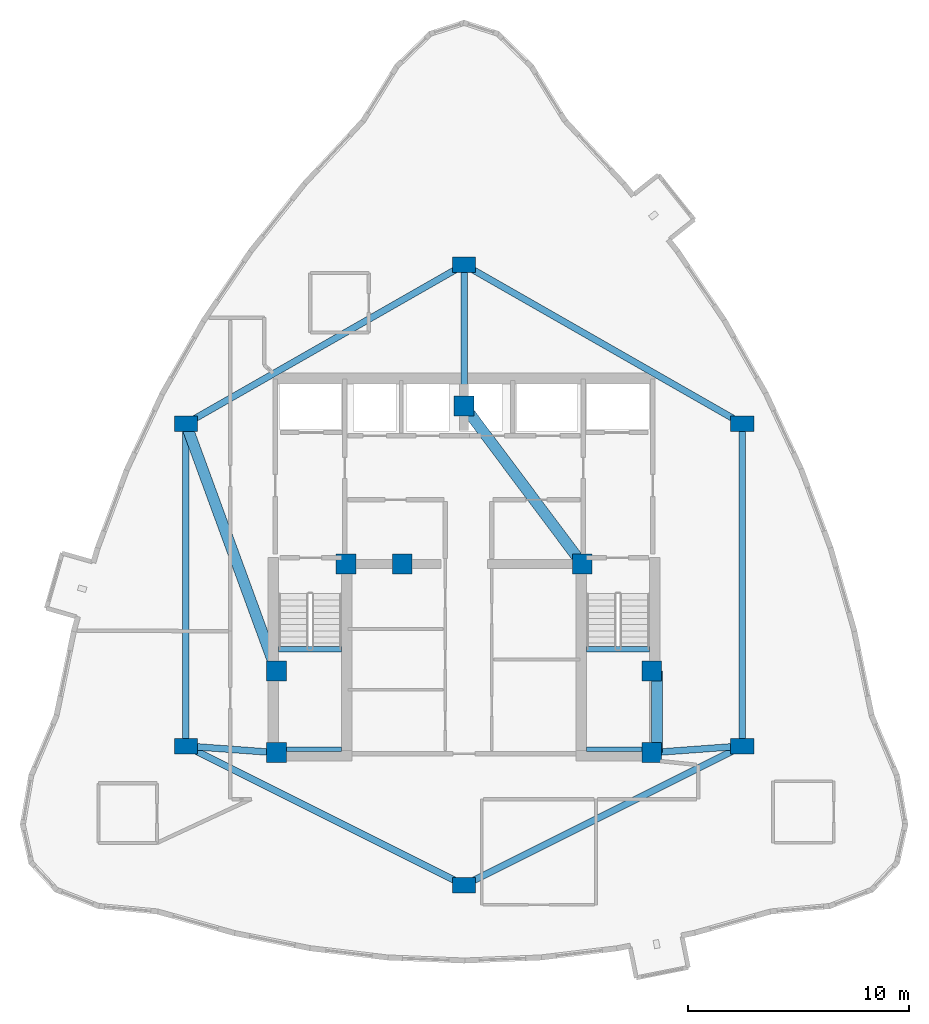
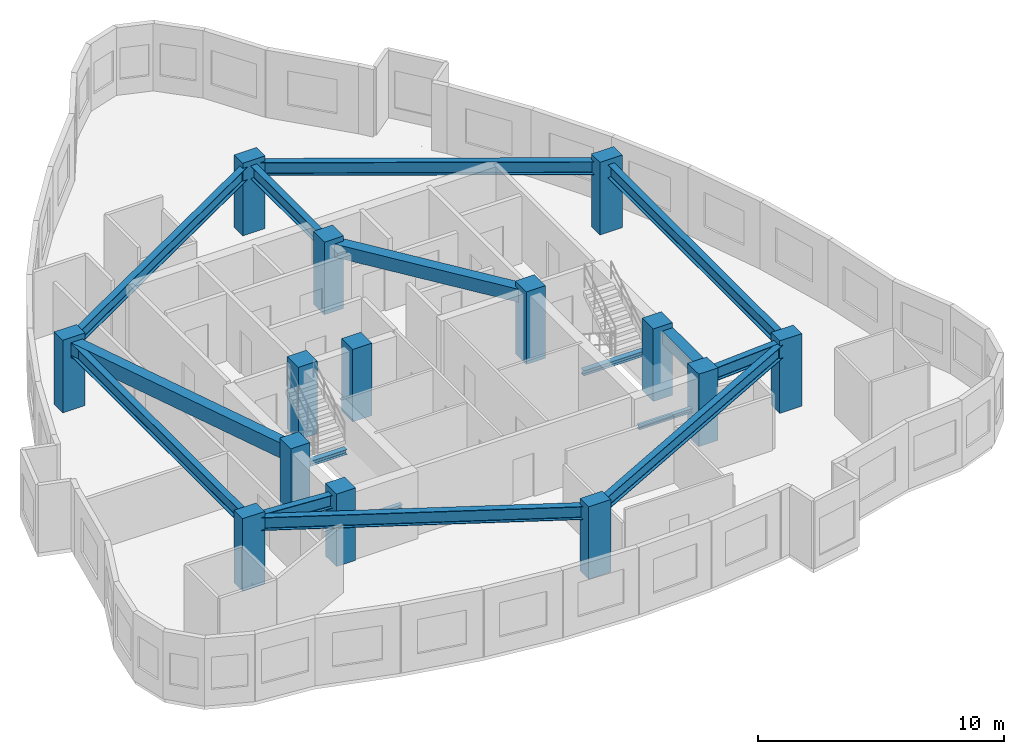
# One storey, part 1 of 9: 16 beams, 14 columns.
"""IFC4 building model written with IfcOpenShell, lengths in metres."""

from ifc_helpers import new_model, si_unit, direction, frame, origin, origin_2d, place, context, subcontext, project, spatial, rectangle, i_section, extrude, material, material_profile, profile_set, type_object, element, save


model = new_model("IFC4")

# Units and contexts
model_context = context("Model", 3, precision=1e-05, world=origin(), true_north=direction((0.0, 1.0)))
body_context = subcontext(model_context, "Body", "Model", "MODEL_VIEW")
ifc_project = project(units=[si_unit("LENGTHUNIT", "METRE"), si_unit("AREAUNIT", "SQUARE_METRE"), si_unit("VOLUMEUNIT", "CUBIC_METRE"), si_unit("PLANEANGLEUNIT", "RADIAN"), si_unit("MASSUNIT", "GRAM", prefix="KILO")], contexts=[model_context])

# Site, building, storey
site_placement = place(None, origin())
site = spatial("IfcSite", under=ifc_project, at=site_placement, CompositionType="ELEMENT")
building_placement = place(site_placement, origin())
building = spatial("IfcBuilding", under=site, at=building_placement, Name="Miruveldt Soraemaru", CompositionType="ELEMENT")
storey_placement = place(building_placement, frame((0.0, 0.0, 223.199951171875)))
storey = spatial("IfcBuildingStorey", under=building, at=storey_placement, Name="L61", CompositionType="ELEMENT", Elevation=223.199951171875)

# Columns
ifc_material_1 = material(Name="Concrete C50/60 (50 MPa)", Category="concrete")
ifc_material_profile_1 = material_profile(ifc_material_1, rectangle(XDim=0.89990234375, YDim=0.89990234375, at=origin_2d()), Name="Concrete C50/60 (50 MPa)", Category="concrete")
ifc_profile_set_1 = profile_set([ifc_material_profile_1], Name="Concrete C50/60 (50 MPa)")
column_type_1 = type_object("IfcColumnType", Name="COL-CORE-900", PredefinedType="COLUMN", material=ifc_profile_set_1)
for number, where, z_axis, x_axis, name in (
    (1, (35.5, 35.5, 0.0), (0.0, 0.0, 1.0), (1.0, 0.0, 0.0), "L61 Structural Column CC1"),
    (2, (38.64990234375, 44.050048828125, 0.0), (0.0, 0.0, 1.0), (1.0, 0.0, 0.0), "L61 Structural Column CC2"),
    (3, (52.5, 35.5, 0.0), (0.0, 0.0, 1.0), (1.0, 0.0, 0.0), "L61 Structural Column CC3"),
    (4, (52.5, 39.199951171875, 0.0), (0.0, 0.0, 1.0), (1.0, 0.0, 0.0), "L61 Structural Column CC4"),
    (5, (49.35009765625, 44.050048828125, 0.0), (0.0, 0.0, 1.0), (1.0, 0.0, 0.0), "L61 Structural Column CC5"),
    (6, (44.0, 51.199951171875, 0.0), (0.0, 0.0, 1.0), (1.0, 0.0, 0.0), "L61 Structural Column CC6"),
    (7, (35.5, 39.199951171875, 0.0), (0.0, 0.0, 1.0), (1.0, 0.0, 0.0), "L61 Structural Column CC7"),
    (8, (41.199951171875, 44.050048828125, 0.0), (0.0, 0.0, 1.0), (1.0, 0.0, 0.0), "L61 Structural Column CC8"),
):
    element("IfcColumn", number, at=place(storey_placement, frame(where, z_axis=z_axis, x_axis=x_axis)), inside=storey, type_object=column_type_1, Name=name, PredefinedType="COLUMN", context=body_context, shape_type="SweptSolid", body=[
        extrude(rectangle(XDim=0.89990234375, YDim=0.89990234375, at=origin_2d()), origin(), (0.0, 0.0, 1.0), 3.60009765625),
    ])
ifc_material_2 = material(Name="Concrete C60/75 (60 MPa)", Category="concrete")
ifc_material_profile_2 = material_profile(ifc_material_2, rectangle(XDim=1.050048828125, YDim=0.699951171875, at=origin_2d()), Name="Concrete C60/75 (60 MPa)", Category="concrete")
ifc_profile_set_2 = profile_set([ifc_material_profile_2], Name="Concrete C60/75 (60 MPa)")
column_type_2 = type_object("IfcColumnType", Name="COL-TW-Z3", PredefinedType="COLUMN", material=ifc_profile_set_2)
for number, where, z_axis, x_axis, name in (
    (9, (44.0, 57.60009765625, 0.0), (0.0, 0.0, 1.0), (1.0, 0.0, 0.0), "L61 Structural Column IR01"),
    (10, (56.60009765625, 50.39990234375, 0.0), (0.0, 0.0, 1.0), (1.0, 0.0, 0.0), "L61 Structural Column IR02"),
    (11, (56.60009765625, 35.800048828125, 0.0), (0.0, 0.0, 1.0), (1.0, 0.0, 0.0), "L61 Structural Column IR03"),
    (12, (44.0, 29.5, 0.0), (0.0, 0.0, 1.0), (1.0, 0.0, 0.0), "L61 Structural Column IR04"),
    (13, (31.39990234375, 35.800048828125, 0.0), (0.0, 0.0, 1.0), (1.0, 0.0, 0.0), "L61 Structural Column IR05"),
    (14, (31.39990234375, 50.39990234375, 0.0), (0.0, 0.0, 1.0), (1.0, 0.0, 0.0), "L61 Structural Column IR06"),
):
    element("IfcColumn", number, at=place(storey_placement, frame(where, z_axis=z_axis, x_axis=x_axis)), inside=storey, type_object=column_type_2, Name=name, PredefinedType="COLUMN", context=body_context, shape_type="SweptSolid", body=[
        extrude(rectangle(XDim=1.050048828125, YDim=0.699951171875, at=origin_2d()), origin(), (0.0, 0.0, 1.0), 3.60009765625),
    ])

# Beams
ifc_material_profile_3 = material_profile(ifc_material_1, rectangle(XDim=0.5, YDim=0.64990234375, at=origin_2d()), Name="Concrete C50/60 (50 MPa)", Category="concrete")
ifc_profile_set_3 = profile_set([ifc_material_profile_3], Name="Concrete C50/60 (50 MPa)")
beam_type_1 = type_object("IfcBeamType", Name="BM-RC-500x650", PredefinedType="BEAM", material=ifc_profile_set_3)
beam_1_placement = place(storey_placement, frame((52.72998046875, 35.5, 3.02001953125), z_axis=(0.0, 1.0, 0.0), x_axis=(-1.0, 0.0, 0.0)))
element("IfcBeam", 15, at=beam_1_placement, inside=storey, type_object=beam_type_1, Name="L61 Core Tie Beam 3", PredefinedType="BEAM", context=body_context, shape_type="SweptSolid", body=[
    extrude(rectangle(XDim=0.5, YDim=0.64990234375, at=origin_2d()), origin(), (0.0, 0.0, 1.0), 3.699951171875),
])
beam_2_placement = place(storey_placement, frame((49.35009765625, 44.050048828125, 3.02001953125), z_axis=(-0.599116023999, 0.800662219533, 0.0), x_axis=(-0.800662219533, -0.599116023999, 0.0)))
element("IfcBeam", 16, at=beam_2_placement, inside=storey, type_object=beam_type_1, Name="L61 Core Tie Beam 5", PredefinedType="BEAM", context=body_context, shape_type="SweptSolid", body=[
    extrude(rectangle(XDim=0.5, YDim=0.64990234375, at=origin_2d()), origin(), (0.0, 0.0, 1.0), 8.929931640625),
])
ifc_material_3 = material(Name="Concrete C40/50 (40 MPa)", Category="concrete")
ifc_material_profile_4 = material_profile(ifc_material_3, rectangle(XDim=0.5, YDim=0.75, at=origin_2d()), Name="Concrete C40/50 (40 MPa)", Category="concrete")
ifc_profile_set_4 = profile_set([ifc_material_profile_4], Name="Concrete C40/50 (40 MPa)")
beam_type_2 = type_object("IfcBeamType", Name="BM-RC-500x750", PredefinedType="LINTEL", material=ifc_profile_set_4)
beam_3_placement = place(storey_placement, frame((31.39990234375, 50.39990234375, 2.969970703125), z_axis=(0.343770424598, -0.939053723262, 0.0), x_axis=(0.939053723262, 0.343770424598, 0.0)))
element("IfcBeam", 17, at=beam_3_placement, inside=storey, type_object=beam_type_2, Name="L61 West Lobby Lintel", PredefinedType="LINTEL", context=body_context, shape_type="SweptSolid", body=[
    extrude(rectangle(XDim=0.5, YDim=0.75, at=origin_2d()), origin(), (0.0, 0.0, 1.0), 11.9267578125),
])
ifc_material_4 = material(Name="Steel SM355 (355 MPa)", Category="steel")
ifc_material_profile_5 = material_profile(ifc_material_4, i_section(OverallWidth=0.300048828125, OverallDepth=0.64990234375, WebThickness=0.012939453125, FlangeThickness=0.02197265625, FilletRadius=0.02587890625, at=origin_2d()), Name="Steel SM355 (355 MPa)", Category="steel")
ifc_profile_set_5 = profile_set([ifc_material_profile_5], Name="Steel SM355 (355 MPa)")
beam_type_3 = type_object("IfcBeamType", Name="BM-ST-H650", PredefinedType="BEAM", material=ifc_profile_set_5)
beam_4_placement = place(storey_placement, frame((44.0, 57.60009765625, 3.02001953125), z_axis=(0.868239001029, -0.496146185203, 0.0), x_axis=(0.496146185203, 0.868239001029, 0.0)))
element("IfcBeam", 18, at=beam_4_placement, inside=storey, type_object=beam_type_3, Name="L61 Inner Ring Girder 1", PredefinedType="BEAM", context=body_context, shape_type="SweptSolid", body=[
    extrude(i_section(OverallWidth=0.300048828125, OverallDepth=0.64990234375, WebThickness=0.012939453125, FlangeThickness=0.02197265625, FilletRadius=0.02587890625, at=origin_2d()), origin(), (0.0, 0.0, 1.0), 14.51220703125),
])
beam_5_placement = place(storey_placement, frame((44.0, 51.199951171875, 3.02001953125), z_axis=(0.0, 1.0, 0.0), x_axis=(-1.0, 0.0, 0.0)))
element("IfcBeam", 19, at=beam_5_placement, inside=storey, type_object=beam_type_3, Name="L61 Core-to-Inner Radial Girder 1", PredefinedType="BEAM", context=body_context, shape_type="SweptSolid", body=[
    extrude(i_section(OverallWidth=0.300048828125, OverallDepth=0.64990234375, WebThickness=0.012939453125, FlangeThickness=0.02197265625, FilletRadius=0.02587890625, at=origin_2d()), origin(), (0.0, 0.0, 1.0), 6.400146484375),
])
beam_6_placement = place(storey_placement, frame((56.60009765625, 50.39990234375, 3.02001953125), z_axis=(0.0, -1.0, 0.0), x_axis=(1.0, 0.0, 0.0)))
element("IfcBeam", 20, at=beam_6_placement, inside=storey, type_object=beam_type_3, Name="L61 Inner Ring Girder 2", PredefinedType="BEAM", context=body_context, shape_type="SweptSolid", body=[
    extrude(i_section(OverallWidth=0.300048828125, OverallDepth=0.64990234375, WebThickness=0.012939453125, FlangeThickness=0.02197265625, FilletRadius=0.02587890625, at=origin_2d()), origin(), (0.0, 0.0, 1.0), 14.599853515625),
])
beam_7_placement = place(storey_placement, frame((56.60009765625, 35.800048828125, 3.02001953125), z_axis=(-0.894427191, -0.4472135955, 0.0), x_axis=(0.4472135955, -0.894427191, 0.0)))
element("IfcBeam", 21, at=beam_7_placement, inside=storey, type_object=beam_type_3, Name="L61 Inner Ring Girder 3", PredefinedType="BEAM", context=body_context, shape_type="SweptSolid", body=[
    extrude(i_section(OverallWidth=0.300048828125, OverallDepth=0.64990234375, WebThickness=0.012939453125, FlangeThickness=0.02197265625, FilletRadius=0.02587890625, at=origin_2d()), origin(), (0.0, 0.0, 1.0), 14.08740234375),
])
beam_8_placement = place(storey_placement, frame((52.5, 35.5, 3.02001953125), z_axis=(0.997332985605, 0.072985723431, 0.0), x_axis=(-0.072985723431, 0.997332985605, 0.0)))
element("IfcBeam", 22, at=beam_8_placement, inside=storey, type_object=beam_type_3, Name="L61 Core-to-Inner Radial Girder 3", PredefinedType="BEAM", context=body_context, shape_type="SweptSolid", body=[
    extrude(i_section(OverallWidth=0.300048828125, OverallDepth=0.64990234375, WebThickness=0.012939453125, FlangeThickness=0.02197265625, FilletRadius=0.02587890625, at=origin_2d()), origin(), (0.0, 0.0, 1.0), 4.111083984375),
])
beam_9_placement = place(storey_placement, frame((44.0, 29.5, 3.02001953125), z_axis=(-0.894427191, 0.4472135955, 0.0), x_axis=(-0.4472135955, -0.894427191, 0.0)))
element("IfcBeam", 23, at=beam_9_placement, inside=storey, type_object=beam_type_3, Name="L61 Inner Ring Girder 4", PredefinedType="BEAM", context=body_context, shape_type="SweptSolid", body=[
    extrude(i_section(OverallWidth=0.300048828125, OverallDepth=0.64990234375, WebThickness=0.012939453125, FlangeThickness=0.02197265625, FilletRadius=0.02587890625, at=origin_2d()), origin(), (0.0, 0.0, 1.0), 14.08740234375),
])
beam_10_placement = place(storey_placement, frame((31.39990234375, 35.800048828125, 3.02001953125), z_axis=(0.0, 1.0, 0.0), x_axis=(-1.0, 0.0, 0.0)))
element("IfcBeam", 24, at=beam_10_placement, inside=storey, type_object=beam_type_3, Name="L61 Inner Ring Girder 5", PredefinedType="BEAM", context=body_context, shape_type="SweptSolid", body=[
    extrude(i_section(OverallWidth=0.300048828125, OverallDepth=0.64990234375, WebThickness=0.012939453125, FlangeThickness=0.02197265625, FilletRadius=0.02587890625, at=origin_2d()), origin(), (0.0, 0.0, 1.0), 14.599853515625),
])
beam_11_placement = place(storey_placement, frame((35.5, 35.5, 3.02001953125), z_axis=(-0.997332985605, 0.072985723431, 0.0), x_axis=(-0.072985723431, -0.997332985605, 0.0)))
element("IfcBeam", 25, at=beam_11_placement, inside=storey, type_object=beam_type_3, Name="L61 Core-to-Inner Radial Girder 5", PredefinedType="BEAM", context=body_context, shape_type="SweptSolid", body=[
    extrude(i_section(OverallWidth=0.300048828125, OverallDepth=0.64990234375, WebThickness=0.012939453125, FlangeThickness=0.02197265625, FilletRadius=0.02587890625, at=origin_2d()), origin(), (0.0, 0.0, 1.0), 4.111083984375),
])
beam_12_placement = place(storey_placement, frame((31.39990234375, 50.39990234375, 3.02001953125), z_axis=(0.868239001029, 0.496146185203, 0.0), x_axis=(-0.496146185203, 0.868239001029, 0.0)))
element("IfcBeam", 26, at=beam_12_placement, inside=storey, type_object=beam_type_3, Name="L61 Inner Ring Girder 6", PredefinedType="BEAM", context=body_context, shape_type="SweptSolid", body=[
    extrude(i_section(OverallWidth=0.300048828125, OverallDepth=0.64990234375, WebThickness=0.012939453125, FlangeThickness=0.02197265625, FilletRadius=0.02587890625, at=origin_2d()), origin(), (0.0, 0.0, 1.0), 14.51220703125),
])
ifc_material_profile_6 = material_profile(ifc_material_4, i_section(OverallWidth=0.199951171875, OverallDepth=0.199951171875, WebThickness=0.008056640625, FlangeThickness=0.011962890625, FilletRadius=0.012939453125, at=origin_2d()), Name="Steel SM355 (355 MPa)", Category="steel")
ifc_profile_set_6 = profile_set([ifc_material_profile_6], Name="Steel SM355 (355 MPa)")
beam_type_4 = type_object("IfcBeamType", Name="BM-ST-LND200", PredefinedType="BEAM", material=ifc_profile_set_6)
for number, where, z_axis, x_axis, name in (
    (27, (35.60009765625, 35.64990234375, 1.5), (1.0, 0.0, 0.0), (0.0, 1.0, 0.0), "L61 ST1 Landing End Beam 1B"),
    (28, (49.550048828125, 35.64990234375, 1.5), (1.0, 0.0, 0.0), (0.0, 1.0, 0.0), "L61 ST2 Landing End Beam 1B"),
):
    element("IfcBeam", number, at=place(storey_placement, frame(where, z_axis=z_axis, x_axis=x_axis)), inside=storey, type_object=beam_type_4, Name=name, PredefinedType="BEAM", context=body_context, shape_type="SweptSolid", body=[
        extrude(i_section(OverallWidth=0.199951171875, OverallDepth=0.199951171875, WebThickness=0.008056640625, FlangeThickness=0.011962890625, FilletRadius=0.012939453125, at=origin_2d()), origin(), (0.0, 0.0, 1.0), 2.849853515625),
    ])
ifc_material_profile_7 = material_profile(ifc_material_4, i_section(OverallWidth=0.25, OverallDepth=0.25, WebThickness=0.009033203125, FlangeThickness=0.013916015625, FilletRadius=0.01611328125, at=origin_2d()), Name="Steel SM355 (355 MPa)", Category="steel")
ifc_profile_set_7 = profile_set([ifc_material_profile_7], Name="Steel SM355 (355 MPa)")
beam_type_5 = type_object("IfcBeamType", Name="BM-ST-LND250", PredefinedType="BEAM", material=ifc_profile_set_7)
for number, where, z_axis, x_axis, name in (
    (29, (35.60009765625, 40.179931640625, 1.47509765625), (1.0, 0.0, 0.0), (0.0, 1.0, 0.0), "L61 ST1 Landing Support Beam 1A"),
    (30, (49.550048828125, 40.179931640625, 1.47509765625), (1.0, 0.0, 0.0), (0.0, 1.0, 0.0), "L61 ST2 Landing Support Beam 1A"),
):
    element("IfcBeam", number, at=place(storey_placement, frame(where, z_axis=z_axis, x_axis=x_axis)), inside=storey, type_object=beam_type_5, Name=name, PredefinedType="BEAM", context=body_context, shape_type="SweptSolid", body=[
        extrude(i_section(OverallWidth=0.25, OverallDepth=0.25, WebThickness=0.009033203125, FlangeThickness=0.013916015625, FilletRadius=0.01611328125, at=origin_2d()), origin(), (0.0, 0.0, 1.0), 2.849853515625),
    ])

save(model, "model.ifc")
